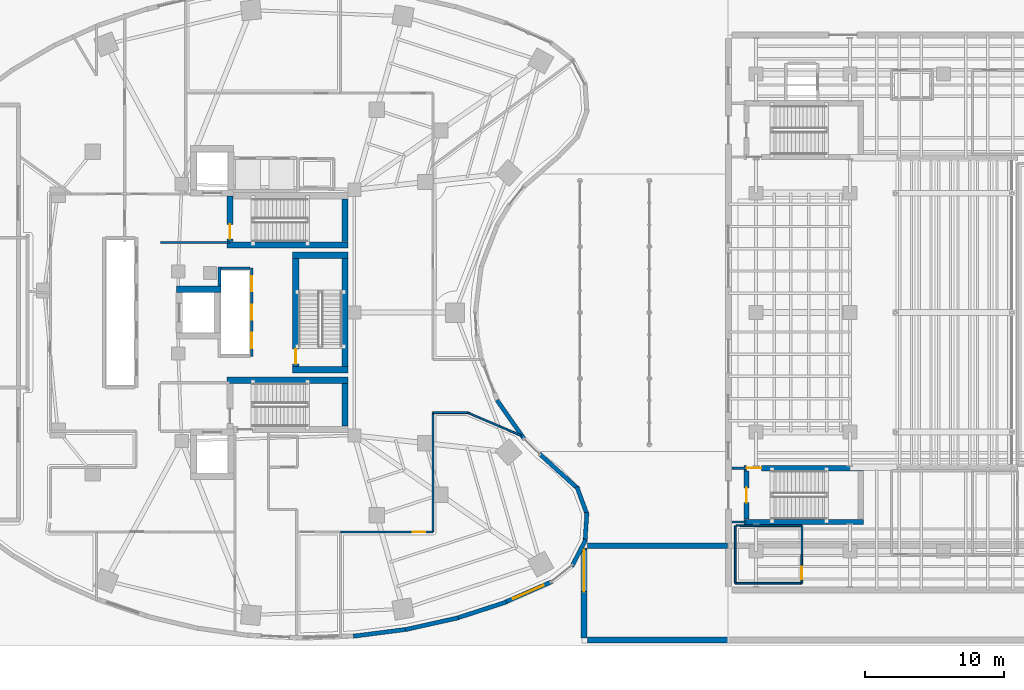
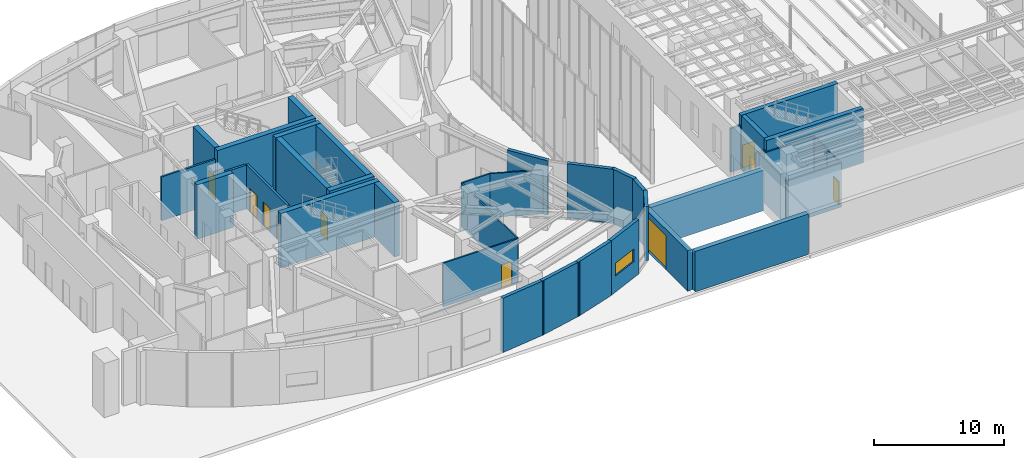
# One storey, part 19 of 28: 41 walls, 10 doors, 1 window, 11 openings.
"""IFC4 building model written with IfcOpenShell, lengths in metres."""

from ifc_helpers import new_model, si_unit, direction, frame, frame_2d, origin, place, context, subcontext, project, spatial, rectangle, extrude, material, layer, layer_set, type_object, element, fill, save


model = new_model("IFC4")

# Units and contexts
model_context = context("Model", 3, precision=1e-05, world=origin(), true_north=direction((0.0, 1.0)))
body_context = subcontext(model_context, "Body", "Model", "MODEL_VIEW")
ifc_project = project(units=[si_unit("LENGTHUNIT", "METRE"), si_unit("AREAUNIT", "SQUARE_METRE"), si_unit("VOLUMEUNIT", "CUBIC_METRE"), si_unit("PLANEANGLEUNIT", "RADIAN"), si_unit("MASSUNIT", "GRAM", prefix="KILO")], contexts=[model_context])

# Site, building, storey
site_placement = place(None, origin())
site = spatial("IfcSite", under=ifc_project, at=site_placement, CompositionType="ELEMENT")
building_placement = place(site_placement, origin())
building = spatial("IfcBuilding", under=site, at=building_placement, Name="Korentha Bioscience Tower", CompositionType="ELEMENT")
storey_placement = place(building_placement, origin())
storey = spatial("IfcBuildingStorey", under=building, at=storey_placement, Name="L00", CompositionType="ELEMENT", Elevation=0.0)

# Walls
ifc_material_1 = material(Name="Gypsum-Clad Steel Stud", Category="steel")
ifc_layer_1 = layer(ifc_material_1, 0.159912109375, Name="Gypsum-Clad Steel Stud")
ifc_layer_set_1 = layer_set([ifc_layer_1], Name="Gypsum-Clad Steel Stud (IW-C160)")
wall_type_1 = type_object("IfcWallType", Name="Fire-Rated Corridor Partition Wall 160", PredefinedType="PARTITIONING", material=ifc_layer_set_1)
wall_1_placement = place(storey_placement, frame((23.580078125, 32.050048828125, 0.0), z_axis=(0.0, 0.0, 1.0), x_axis=(1.0, 0.0, 0.0)))
element("IfcWall", 1, at=wall_1_placement, inside=storey, type_object=wall_type_1, Name="L00 Firefighting Lobby Return Wall FFLN-S", PredefinedType="PARTITIONING", context=body_context, shape_type="SweptSolid", body=[
    extrude(rectangle(XDim=4.969970703125, YDim=0.159912109375, at=frame_2d((2.48486328125, 0.0))), origin(), (0.0, 0.0, 1.0), 4.110107421875),
])
for number, where, z_axis, x_axis, name in (
    (2, (64.75, 15.7900390625, 0.0), (0.0, 0.0, 1.0), (1.0, 0.0, 0.0), "L00 Protected Exit Passageway Rated Wall EXVT1-N"),
    (3, (64.75, 11.909912109375, 0.0), (0.0, 0.0, 1.0), (1.0, 0.0, 0.0), "L00 Protected Exit Passageway Rated Wall EXVT1-S"),
):
    element("IfcWall", number, at=place(storey_placement, frame(where, z_axis=z_axis, x_axis=x_axis)), inside=storey, type_object=wall_type_1, Name=name, PredefinedType="PARTITIONING", context=body_context, shape_type="SweptSolid", body=[
        extrude(rectangle(XDim=1.030029296875, YDim=0.159912109375, at=frame_2d((0.51513671875, 0.0))), origin(), (0.0, 0.0, 1.0), 4.110107421875),
    ])

# Wall, opening, window
ifc_material_2 = material(Name="Honed Limestone Precast Concrete C40", Category="masonry")
ifc_layer_2 = layer(ifc_material_2, 0.300048828125, Name="Honed Limestone Precast Concrete C40")
ifc_layer_set_2 = layer_set([ifc_layer_2], Name="Honed Limestone Precast Concrete C40 (EW-ST300)")
wall_type_2 = type_object("IfcWallType", Name="Honed Limestone Cavity Spandrel Wall 300", PredefinedType="STANDARD", material=ifc_layer_set_2)
wall_2_placement = place(storey_placement, frame((48.37255859375, 6.115478515625, 0.0), z_axis=(0.0, 0.0, 1.0), x_axis=(0.91593836551, 0.401318963652, 0.0)))
wall_2 = element("IfcWall", 4, at=wall_2_placement, inside=storey, type_object=wall_type_2, Name="L00 Honed Limestone Spandrel Wall 36", PredefinedType="STANDARD", context=body_context, shape_type="SweptSolid", body=[
    extrude(rectangle(XDim=3.712646484375, YDim=0.300048828125, at=frame_2d((1.8564453125, 0.0))), origin(), (0.0, 0.0, 1.0), 5.10009765625),
])
opening_1_placement = place(wall_2_placement, frame((0.65625, 0.0, 1.5)))
opening_1 = element("IfcOpeningElement", 5, at=opening_1_placement, cuts=wall_2, Name="Opening WN-04", PredefinedType="OPENING", context=body_context, shape_type="SweptSolid", body=[
    extrude(rectangle(XDim=2.39990234375, YDim=1.199951171875, at=frame_2d((1.199951171875, 0.60009765625))), frame((0.0, 0.1650390625, 0.0), z_axis=(0.0, -1.0, 0.0), x_axis=(1.0, 0.0, 0.0)), (0.0, 0.0, 1.0), 0.329833984375),
])
ifc_material_3 = material(Name="Thermally Broken Aluminium Triple Glazing", Category="aluminium")
window_type = type_object("IfcWindowType", Name="Podium Clerestory Ribbon Window 2400x1200", PartitioningType="DOUBLE_PANEL_HORIZONTAL", PredefinedType="WINDOW", material=ifc_material_3)
window_placement = place(opening_1_placement, origin())
window = element("IfcWindow", 6, at=window_placement, inside=storey, type_object=window_type, Name="L00 Facade Window 36", OverallHeight=1.199951171875, OverallWidth=2.39990234375, PartitioningType="DOUBLE_PANEL_HORIZONTAL", PredefinedType="WINDOW", context=body_context, shape_type="SweptSolid", body=[
    extrude(rectangle(XDim=2.39990234375, YDim=1.199951171875, at=frame_2d((1.199951171875, 0.60009765625))), frame((0.0, 0.030029296875, 0.0), z_axis=(0.0, -1.0, 0.0), x_axis=(1.0, 0.0, 0.0)), (0.0, 0.0, 1.0), 0.06005859375),
])
fill(opening_1, window)

# Walls
wall_3_placement = place(storey_placement, frame((37.471923828125, 3.677734375, 0.0), z_axis=(0.0, 0.0, 1.0), x_axis=(0.991734095036, 0.128310111617, 0.0)))
element("IfcWall", 7, at=wall_3_placement, inside=storey, type_object=wall_type_2, Name="L00 Limestone Perimeter Closure Wall 33", PredefinedType="STANDARD", context=body_context, shape_type="SweptSolid", body=[
    extrude(rectangle(XDim=3.955810546875, YDim=0.300048828125, at=frame_2d((1.97802734375, 0.0))), origin(), (0.0, 0.0, 1.0), 5.10009765625),
])
wall_4_placement = place(storey_placement, frame((41.22509765625, 4.1552734375, 0.0), z_axis=(0.0, 0.0, 1.0), x_axis=(0.975868573345, 0.218358713032, 0.0)))
element("IfcWall", 8, at=wall_4_placement, inside=storey, type_object=wall_type_2, Name="L00 Limestone Perimeter Closure Wall 34", PredefinedType="STANDARD", context=body_context, shape_type="SweptSolid", body=[
    extrude(rectangle(XDim=3.90869140625, YDim=0.300048828125, at=frame_2d((1.954345703125, 0.0))), origin(), (0.0, 0.0, 1.0), 5.10009765625),
])
wall_5_placement = place(storey_placement, frame((44.872802734375, 4.963134765625, 0.0), z_axis=(0.0, 0.0, 1.0), x_axis=(0.950965833732, 0.309295947393, 0.0)))
element("IfcWall", 9, at=wall_5_placement, inside=storey, type_object=wall_type_2, Name="L00 Limestone Perimeter Closure Wall 35", PredefinedType="STANDARD", context=body_context, shape_type="SweptSolid", body=[
    extrude(rectangle(XDim=3.840087890625, YDim=0.300048828125, at=frame_2d((1.919921875, 0.0))), origin(), (0.0, 0.0, 1.0), 5.10009765625),
])
wall_6_placement = place(storey_placement, frame((53.20751953125, 8.691650390625, 0.0), z_axis=(0.0, 0.0, 1.0), x_axis=(0.463035066673, 0.886339961319, 0.0)))
element("IfcWall", 10, at=wall_6_placement, inside=storey, type_object=wall_type_2, Name="L00 Limestone Perimeter Closure Wall 38", PredefinedType="STANDARD", context=body_context, shape_type="SweptSolid", body=[
    extrude(rectangle(XDim=2.1875, YDim=0.300048828125, at=frame_2d((1.09375, 0.0))), origin(), (0.0, 0.0, 1.0), 5.10009765625),
])
for number, where, z_axis, x_axis, name in (
    (11, (54.16259765625, 10.42431640625, 0.0), (0.0, 0.0, 1.0), (0.064615302336, 0.99791024782, 0.0), "L00 Limestone Perimeter Closure Wall 39"),
    (12, (54.334716796875, 12.39501953125, 0.0), (0.0, 0.0, 1.0), (-0.344939866054, 0.938624785954, 0.0), "L00 Limestone Perimeter Closure Wall 40"),
):
    element("IfcWall", number, at=place(storey_placement, frame(where, z_axis=z_axis, x_axis=x_axis)), inside=storey, type_object=wall_type_2, Name=name, PredefinedType="STANDARD", context=body_context, shape_type="SweptSolid", body=[
        extrude(rectangle(XDim=2.187744140625, YDim=0.300048828125, at=frame_2d((1.09375, 0.0))), origin(), (0.0, 0.0, 1.0), 5.10009765625),
    ])
wall_7_placement = place(storey_placement, frame((53.704345703125, 14.26416015625, 0.0), z_axis=(0.0, 0.0, 1.0), x_axis=(-0.74117794387, 0.671308614216, 0.0)))
element("IfcWall", 13, at=wall_7_placement, inside=storey, type_object=wall_type_2, Name="L00 Limestone Perimeter Closure Wall 41", PredefinedType="STANDARD", context=body_context, shape_type="SweptSolid", body=[
    extrude(rectangle(XDim=3.815673828125, YDim=0.300048828125, at=frame_2d((1.90771484375, 0.0))), origin(), (0.0, 0.0, 1.0), 5.10009765625),
])
wall_8_placement = place(storey_placement, frame((49.79248046875, 17.8779296875, 0.0), z_axis=(0.0, 0.0, 1.0), x_axis=(-0.573576992806, 0.819151654655, 0.0)))
element("IfcWall", 14, at=wall_8_placement, inside=storey, type_object=wall_type_2, Name="L00 Limestone Perimeter Closure Wall 44", PredefinedType="STANDARD", context=body_context, shape_type="SweptSolid", body=[
    extrude(rectangle(XDim=3.429931640625, YDim=0.300048828125, at=frame_2d((1.71484375, 0.0))), origin(), (0.0, 0.0, 1.0), 5.10009765625),
])
ifc_material_4 = material(Name="Autoclaved Aerated Concrete Block C25", Category="concrete")
ifc_layer_3 = layer(ifc_material_4, 0.199951171875, Name="Autoclaved Aerated Concrete Block C25")
ifc_layer_set_3 = layer_set([ifc_layer_3], Name="Autoclaved Aerated Concrete Block C25 (IW-S200)")
wall_type_3 = type_object("IfcWallType", Name="Lift and Riser Shaft Enclosure Wall 200", PredefinedType="PARTITIONING", material=ifc_layer_set_3)
wall_9_placement = place(storey_placement, frame((27.830078125, 28.908935546875, 0.0), z_axis=(0.0, 0.0, 1.0), x_axis=(0.0, 1.0, 0.0)))
element("IfcWall", 15, at=wall_9_placement, inside=storey, type_object=wall_type_3, Name="L00 Lift Bank HIGH Shaft Wall -XN", PredefinedType="PARTITIONING", context=body_context, shape_type="SweptSolid", body=[
    extrude(rectangle(XDim=1.39111328125, YDim=0.199951171875, at=frame_2d((0.695556640625, 0.0))), origin(), (0.0, 0.0, 1.0), 4.110107421875),
])

# Wall, openings, doors
wall_10_placement = place(storey_placement, frame((30.14990234375, 23.85009765625, 0.0), z_axis=(0.0, 0.0, 1.0), x_axis=(0.0, 1.0, 0.0)))
wall_10 = element("IfcWall", 16, at=wall_10_placement, inside=storey, type_object=wall_type_3, Name="L00 Lift Bank HIGH Shaft Wall +X", PredefinedType="PARTITIONING", context=body_context, shape_type="SweptSolid", body=[
    extrude(rectangle(XDim=6.349853515625, YDim=0.199951171875, at=frame_2d((3.1748046875, 0.0))), origin(), (0.0, 0.0, 1.0), 4.110107421875),
])
opening_2_placement = place(wall_10_placement, frame((0.580078125, 0.0, 0.0)))
opening_2 = element("IfcOpeningElement", 17, at=opening_2_placement, cuts=wall_10, Name="Opening LD-11", PredefinedType="OPENING", context=body_context, shape_type="SweptSolid", body=[
    extrude(rectangle(XDim=1.10009765625, YDim=2.199951171875, at=frame_2d((0.550048828125, 1.10009765625))), frame((0.0, 0.11474609375, 0.0), z_axis=(0.0, -1.0, 0.0), x_axis=(1.0, 0.0, 0.0)), (0.0, 0.0, 1.0), 0.229736328125),
])
opening_3_placement = place(wall_10_placement, frame((2.6201171875, 0.0, 0.0)))
opening_3 = element("IfcOpeningElement", 18, at=opening_3_placement, cuts=wall_10, Name="Opening LD-11", PredefinedType="OPENING", context=body_context, shape_type="SweptSolid", body=[
    extrude(rectangle(XDim=1.10009765625, YDim=2.199951171875, at=frame_2d((0.550048828125, 1.10009765625))), frame((0.0, 0.11474609375, 0.0), z_axis=(0.0, -1.0, 0.0), x_axis=(1.0, 0.0, 0.0)), (0.0, 0.0, 1.0), 0.229736328125),
])
opening_4_placement = place(wall_10_placement, frame((4.669921875, 0.0, 0.0)))
opening_4 = element("IfcOpeningElement", 19, at=opening_4_placement, cuts=wall_10, Name="Opening LD-11", PredefinedType="OPENING", context=body_context, shape_type="SweptSolid", body=[
    extrude(rectangle(XDim=1.10009765625, YDim=2.199951171875, at=frame_2d((0.550048828125, 1.10009765625))), frame((0.0, 0.11474609375, 0.0), z_axis=(0.0, -1.0, 0.0), x_axis=(1.0, 0.0, 0.0)), (0.0, 0.0, 1.0), 0.229736328125),
])
ifc_material_5 = material(Name="Brushed Stainless Steel 304", Category="steel")
door_type_1 = type_object("IfcDoorType", Name="Passenger Lift Sliding Landing Door 1100x2200", OperationType="DOUBLE_DOOR_SLIDING", PredefinedType="DOOR", material=ifc_material_5)
door_1_placement = place(opening_2_placement, origin())
door_1 = element("IfcDoor", 20, at=door_1_placement, inside=storey, type_object=door_type_1, Name="L00 PL-H1 Sliding Lift Landing Door", OperationType="DOUBLE_DOOR_SLIDING", OverallHeight=2.199951171875, OverallWidth=1.10009765625, PredefinedType="DOOR", context=body_context, shape_type="SweptSolid", body=[
    extrude(rectangle(XDim=1.10009765625, YDim=2.199951171875, at=frame_2d((0.550048828125, 1.10009765625))), frame((0.0, 0.02490234375, 0.0), z_axis=(0.0, -1.0, 0.0), x_axis=(1.0, 0.0, 0.0)), (0.0, 0.0, 1.0), 0.050048828125),
])
fill(opening_2, door_1)
door_2_placement = place(opening_3_placement, origin())
door_2 = element("IfcDoor", 21, at=door_2_placement, inside=storey, type_object=door_type_1, Name="L00 PL-H2 Sliding Lift Landing Door", OperationType="DOUBLE_DOOR_SLIDING", OverallHeight=2.199951171875, OverallWidth=1.10009765625, PredefinedType="DOOR", context=body_context, shape_type="SweptSolid", body=[
    extrude(rectangle(XDim=1.10009765625, YDim=2.199951171875, at=frame_2d((0.550048828125, 1.10009765625))), frame((0.0, 0.02490234375, 0.0), z_axis=(0.0, -1.0, 0.0), x_axis=(1.0, 0.0, 0.0)), (0.0, 0.0, 1.0), 0.050048828125),
])
fill(opening_3, door_2)
door_3_placement = place(opening_4_placement, origin())
door_3 = element("IfcDoor", 22, at=door_3_placement, inside=storey, type_object=door_type_1, Name="L00 PL-H3 Sliding Lift Landing Door", OperationType="DOUBLE_DOOR_SLIDING", OverallHeight=2.199951171875, OverallWidth=1.10009765625, PredefinedType="DOOR", context=body_context, shape_type="SweptSolid", body=[
    extrude(rectangle(XDim=1.10009765625, YDim=2.199951171875, at=frame_2d((0.550048828125, 1.10009765625))), frame((0.0, 0.02490234375, 0.0), z_axis=(0.0, -1.0, 0.0), x_axis=(1.0, 0.0, 0.0)), (0.0, 0.0, 1.0), 0.050048828125),
])
fill(opening_4, door_3)

# Walls
wall_11_placement = place(storey_placement, frame((27.93408203125, 30.199951171875, 0.0), z_axis=(0.0, 0.0, 1.0), x_axis=(1.0, 0.0, 0.0)))
element("IfcWall", 23, at=wall_11_placement, inside=storey, type_object=wall_type_3, Name="L00 Lift Bank HIGH Shaft Wall +Y", PredefinedType="PARTITIONING", context=body_context, shape_type="SweptSolid", body=[
    extrude(rectangle(XDim=2.095947265625, YDim=0.199951171875, at=frame_2d((1.0478515625, 0.0))), origin(), (0.0, 0.0, 1.0), 4.110107421875),
])
ifc_material_6 = material(Name="Concrete C80", Category="concrete")
ifc_layer_4 = layer(ifc_material_6, 0.449951171875, Name="Concrete C80")
ifc_layer_set_4 = layer_set([ifc_layer_4], Name="Concrete C80 (CW-C80)")
wall_type_4 = type_object("IfcWallType", Name="Lower Core Shear Wall 450", PredefinedType="SHEAR", material=ifc_layer_set_4)
wall_12_placement = place(storey_placement, frame((28.35009765625, 31.875, 0.0), z_axis=(0.0, 0.0, 1.0), x_axis=(1.0, 0.0, 0.0)))
element("IfcWall", 24, at=wall_12_placement, inside=storey, type_object=wall_type_4, Name="L00 Core Shear Wall ST1-S", PredefinedType="SHEAR", context=body_context, shape_type="SweptSolid", body=[
    extrude(rectangle(XDim=8.75, YDim=0.449951171875, at=frame_2d((4.375, 0.0))), origin(), (0.0, 0.0, 1.0), 5.10009765625),
])
wall_13_placement = place(storey_placement, frame((36.875, 32.110107421875, 0.0), z_axis=(0.0, 0.0, 1.0), x_axis=(0.0, 1.0, 0.0)))
element("IfcWall", 25, at=wall_13_placement, inside=storey, type_object=wall_type_4, Name="L00 Core Shear Wall ST1-E", PredefinedType="SHEAR", context=body_context, shape_type="SweptSolid", body=[
    extrude(rectangle(XDim=3.079833984375, YDim=0.449951171875, at=frame_2d((1.5400390625, 0.0))), origin(), (0.0, 0.0, 1.0), 5.10009765625),
])

# Wall, opening, door
wall_14_placement = place(storey_placement, frame((28.574951171875, 32.110107421875, 0.0), z_axis=(0.0, 0.0, 1.0), x_axis=(0.0, 1.0, 0.0)))
wall_14 = element("IfcWall", 26, at=wall_14_placement, inside=storey, type_object=wall_type_4, Name="L00 Core Shear Wall ST1-W", PredefinedType="SHEAR", context=body_context, shape_type="SweptSolid", body=[
    extrude(rectangle(XDim=3.282958984375, YDim=0.449951171875, at=frame_2d((1.6416015625, 0.0))), origin(), (0.0, 0.0, 1.0), 5.10009765625),
])
opening_5_placement = place(wall_14_placement, frame((0.199951171875, 0.0, 0.0)))
opening_5 = element("IfcOpeningElement", 27, at=opening_5_placement, cuts=wall_14, Name="Opening FD-90L", PredefinedType="OPENING", context=body_context, shape_type="SweptSolid", body=[
    extrude(rectangle(XDim=1.050048828125, YDim=2.14990234375, at=frame_2d((0.52490234375, 1.074951171875))), frame((0.0, 0.23974609375, 0.0), z_axis=(0.0, -1.0, 0.0), x_axis=(1.0, 0.0, 0.0)), (0.0, 0.0, 1.0), 0.479736328125),
])
ifc_material_7 = material(Name="Powder-Coated Fire-Rated Steel", Category="steel")
door_type_2 = type_object("IfcDoorType", Name="Stairwell Fire Exit Door 1050x2150 Left", OperationType="SINGLE_SWING_LEFT", PredefinedType="DOOR", material=ifc_material_7)
door_4_placement = place(opening_5_placement, origin())
door_4 = element("IfcDoor", 28, at=door_4_placement, inside=storey, type_object=door_type_2, Name="L00 ST-1 Fire Exit Stair Door", OperationType="SINGLE_SWING_LEFT", OverallHeight=2.14990234375, OverallWidth=1.050048828125, PredefinedType="DOOR", context=body_context, shape_type="SweptSolid", body=[
    extrude(rectangle(XDim=1.050048828125, YDim=2.14990234375, at=frame_2d((0.52490234375, 1.074951171875))), frame((0.0, 0.02490234375, 0.0), z_axis=(0.0, -1.0, 0.0), x_axis=(1.0, 0.0, 0.0)), (0.0, 0.0, 1.0), 0.050048828125),
])
fill(opening_5, door_4)

# Walls
wall_15_placement = place(storey_placement, frame((28.35009765625, 22.125, 0.0), z_axis=(0.0, 0.0, 1.0), x_axis=(1.0, 0.0, 0.0)))
element("IfcWall", 29, at=wall_15_placement, inside=storey, type_object=wall_type_4, Name="L00 Core Shear Wall ST2-N", PredefinedType="SHEAR", context=body_context, shape_type="SweptSolid", body=[
    extrude(rectangle(XDim=8.75, YDim=0.449951171875, at=frame_2d((4.375, 0.0))), origin(), (0.0, 0.0, 1.0), 5.10009765625),
])
wall_16_placement = place(storey_placement, frame((36.875, 18.81005859375, 0.0), z_axis=(0.0, 0.0, 1.0), x_axis=(0.0, 1.0, 0.0)))
element("IfcWall", 30, at=wall_16_placement, inside=storey, type_object=wall_type_4, Name="L00 Core Shear Wall ST2-E", PredefinedType="SHEAR", context=body_context, shape_type="SweptSolid", body=[
    extrude(rectangle(XDim=3.079833984375, YDim=0.449951171875, at=frame_2d((1.5400390625, 0.0))), origin(), (0.0, 0.0, 1.0), 5.10009765625),
])
for number, where, z_axis, x_axis, name in (
    (31, (33.10009765625, 31.125, 0.0), (0.0, 0.0, 1.0), (1.0, 0.0, 0.0), "L00 Core Shear Wall ST3-N"),
    (32, (33.10009765625, 22.875, 0.0), (0.0, 0.0, 1.0), (1.0, 0.0, 0.0), "L00 Core Shear Wall ST3-S"),
):
    element("IfcWall", number, at=place(storey_placement, frame(where, z_axis=z_axis, x_axis=x_axis)), inside=storey, type_object=wall_type_4, Name=name, PredefinedType="SHEAR", context=body_context, shape_type="SweptSolid", body=[
        extrude(rectangle(XDim=4.0, YDim=0.449951171875, at=frame_2d((2.0, 0.0))), origin(), (0.0, 0.0, 1.0), 5.10009765625),
    ])
wall_17_placement = place(storey_placement, frame((36.875, 23.110107421875, 0.0), z_axis=(0.0, 0.0, 1.0), x_axis=(0.0, 1.0, 0.0)))
element("IfcWall", 33, at=wall_17_placement, inside=storey, type_object=wall_type_4, Name="L00 Core Shear Wall ST3-E", PredefinedType="SHEAR", context=body_context, shape_type="SweptSolid", body=[
    extrude(rectangle(XDim=7.77978515625, YDim=0.449951171875, at=frame_2d((3.889892578125, 0.0))), origin(), (0.0, 0.0, 1.0), 5.10009765625),
])

# Wall, opening, door
wall_18_placement = place(storey_placement, frame((33.324951171875, 23.110107421875, 0.0), z_axis=(0.0, 0.0, 1.0), x_axis=(0.0, 1.0, 0.0)))
wall_18 = element("IfcWall", 34, at=wall_18_placement, inside=storey, type_object=wall_type_4, Name="L00 Core Shear Wall ST3-W", PredefinedType="SHEAR", context=body_context, shape_type="SweptSolid", body=[
    extrude(rectangle(XDim=7.77978515625, YDim=0.449951171875, at=frame_2d((3.889892578125, 0.0))), origin(), (0.0, 0.0, 1.0), 5.10009765625),
])
opening_6_placement = place(wall_18_placement, frame((0.199951171875, 0.0, 0.0)))
opening_6 = element("IfcOpeningElement", 35, at=opening_6_placement, cuts=wall_18, Name="Opening FD-90L", PredefinedType="OPENING", context=body_context, shape_type="SweptSolid", body=[
    extrude(rectangle(XDim=1.050048828125, YDim=2.14990234375, at=frame_2d((0.52490234375, 1.074951171875))), frame((0.0, 0.23974609375, 0.0), z_axis=(0.0, -1.0, 0.0), x_axis=(1.0, 0.0, 0.0)), (0.0, 0.0, 1.0), 0.479736328125),
])
door_5_placement = place(opening_6_placement, origin())
door_5 = element("IfcDoor", 36, at=door_5_placement, inside=storey, type_object=door_type_2, Name="L00 ST-3 Fire Exit Stair Door", OperationType="SINGLE_SWING_LEFT", OverallHeight=2.14990234375, OverallWidth=1.050048828125, PredefinedType="DOOR", context=body_context, shape_type="SweptSolid", body=[
    extrude(rectangle(XDim=1.050048828125, YDim=2.14990234375, at=frame_2d((0.52490234375, 1.074951171875))), frame((0.0, 0.02490234375, 0.0), z_axis=(0.0, -1.0, 0.0), x_axis=(1.0, 0.0, 0.0)), (0.0, 0.0, 1.0), 0.050048828125),
])
fill(opening_6, door_5)

# Walls
wall_19_placement = place(storey_placement, frame((24.719970703125, 28.679931640625, 0.0), z_axis=(0.0, 0.0, 1.0), x_axis=(1.0, 0.0, 0.0)))
element("IfcWall", 37, at=wall_19_placement, inside=storey, type_object=wall_type_4, Name="L00 Core Shear Wall SVL1-N", PredefinedType="SHEAR", context=body_context, shape_type="SweptSolid", body=[
    extrude(rectangle(XDim=3.2099609375, YDim=0.449951171875, at=frame_2d((1.60498046875, 0.0))), origin(), (0.0, 0.0, 1.0), 5.10009765625),
])
ifc_material_8 = material(Name="Concrete C50", Category="concrete")
ifc_layer_5 = layer(ifc_material_8, 0.419921875, Name="Concrete C50")
ifc_layer_set_5 = layer_set([ifc_layer_5], Name="Concrete C50 (TW-E420)")
wall_type_5 = type_object("IfcWallType", Name="Theatre Acoustic Shear Wall 420", PredefinedType="SHEAR", material=ifc_layer_set_5)
for number, where, z_axis, x_axis, name in (
    (38, (54.35009765625, 10.199951171875, 0.0), (0.0, 0.0, 1.0), (1.0, 0.0, 0.0), "L00 Vehicle Ramp Enclosure Wall NW"),
    (39, (54.35009765625, 3.39990234375, 0.0), (0.0, 0.0, 1.0), (1.0, 0.0, 0.0), "L00 Vehicle Ramp Enclosure Wall SW"),
):
    element("IfcWall", number, at=place(storey_placement, frame(where, z_axis=z_axis, x_axis=x_axis)), inside=storey, type_object=wall_type_5, Name=name, PredefinedType="SHEAR", context=body_context, shape_type="SweptSolid", body=[
        extrude(rectangle(XDim=10.06982421875, YDim=0.419921875, at=frame_2d((5.034912109375, 0.0))), origin(), (0.0, 0.0, 1.0), 3.800048828125),
    ])

# Wall, opening, door
wall_20_placement = place(storey_placement, frame((54.10009765625, 3.550048828125, 0.0), z_axis=(0.0, 0.0, 1.0), x_axis=(0.0, 1.0, 0.0)))
wall_20 = element("IfcWall", 40, at=wall_20_placement, inside=storey, type_object=wall_type_5, Name="L00 Vehicle Ramp Enclosure Wall W", PredefinedType="SHEAR", context=body_context, shape_type="SweptSolid", body=[
    extrude(rectangle(XDim=6.5, YDim=0.419921875, at=frame_2d((3.25, 0.0))), origin(), (0.0, 0.0, 1.0), 3.800048828125),
])
opening_7_placement = place(wall_20_placement, frame((3.35009765625, 0.0, 0.0)))
opening_7 = element("IfcOpeningElement", 41, at=opening_7_placement, cuts=wall_20, Name="Opening VG-01", PredefinedType="OPENING", context=body_context, shape_type="SweptSolid", body=[
    extrude(rectangle(XDim=3.0, YDim=3.199951171875, at=frame_2d((1.5, 1.60009765625))), frame((0.0, 0.224853515625, 0.0), z_axis=(0.0, -1.0, 0.0), x_axis=(1.0, 0.0, 0.0)), (0.0, 0.0, 1.0), 0.44970703125),
])
ifc_material_9 = material(Name="Perforated Aluminium Security Slats", Category="aluminium")
door_type_3 = type_object("IfcDoorType", Name="Vehicle Ramp Roller Shutter Gate 3000x3200", OperationType="ROLLINGUP", PredefinedType="DOOR", material=ifc_material_9)
door_6_placement = place(opening_7_placement, origin())
door_6 = element("IfcDoor", 42, at=door_6_placement, inside=storey, type_object=door_type_3, Name="Car Park Vehicle Ramp Portal Shutter Gate", OperationType="ROLLINGUP", OverallHeight=3.199951171875, OverallWidth=3.0, PredefinedType="DOOR", context=body_context, shape_type="SweptSolid", body=[
    extrude(rectangle(XDim=3.0, YDim=3.199951171875, at=frame_2d((1.5, 1.60009765625))), frame((0.0, 0.02490234375, 0.0), z_axis=(0.0, -1.0, 0.0), x_axis=(1.0, 0.0, 0.0)), (0.0, 0.0, 1.0), 0.050048828125),
])
fill(opening_7, door_6)

# Wall
ifc_layer_6 = layer(ifc_material_8, 0.3798828125, Name="Concrete C50")
ifc_layer_set_6 = layer_set([ifc_layer_6], Name="Concrete C50 (TW-I380)")
wall_type_6 = type_object("IfcWallType", Name="Theatre Proscenium Shear Wall 380", PredefinedType="SHEAR", material=ifc_layer_set_6)
wall_21_placement = place(storey_placement, frame((65.6201171875, 11.909912109375, 0.0), z_axis=(0.0, 0.0, 1.0), x_axis=(1.0, 0.0, 0.0)))
element("IfcWall", 43, at=wall_21_placement, inside=storey, type_object=wall_type_6, Name="L00 Theatre Shear Wall STT1-S", PredefinedType="SHEAR", context=body_context, shape_type="SweptSolid", body=[
    extrude(rectangle(XDim=8.60986328125, YDim=0.3798828125, at=frame_2d((4.304931640625, 0.0))), origin(), (0.0, 0.0, 1.0), 5.10009765625),
])

# Wall, opening, door
wall_22_placement = place(storey_placement, frame((65.6201171875, 15.7900390625, 0.0), z_axis=(0.0, 0.0, 1.0), x_axis=(1.0, 0.0, 0.0)))
wall_22 = element("IfcWall", 44, at=wall_22_placement, inside=storey, type_object=wall_type_6, Name="L00 Theatre Shear Wall STT1-N", PredefinedType="SHEAR", context=body_context, shape_type="SweptSolid", body=[
    extrude(rectangle(XDim=8.60986328125, YDim=0.3798828125, at=frame_2d((4.304931640625, 0.0))), origin(), (0.0, 0.0, 1.0), 5.10009765625),
])
opening_8_placement = place(wall_22_placement, frame((0.199951171875, 0.0, 0.0)))
opening_8 = element("IfcOpeningElement", 45, at=opening_8_placement, cuts=wall_22, Name="Opening FD-90R", PredefinedType="OPENING", context=body_context, shape_type="SweptSolid", body=[
    extrude(rectangle(XDim=1.050048828125, YDim=2.14990234375, at=frame_2d((0.52490234375, 1.074951171875))), frame((0.0, 0.204833984375, 0.0), z_axis=(0.0, -1.0, 0.0), x_axis=(1.0, 0.0, 0.0)), (0.0, 0.0, 1.0), 0.40966796875),
])
door_type_4 = type_object("IfcDoorType", Name="Stairwell Fire Exit Door 1050x2150 Right", OperationType="SINGLE_SWING_RIGHT", PredefinedType="DOOR", material=ifc_material_7)
door_7_placement = place(opening_8_placement, origin())
door_7 = element("IfcDoor", 46, at=door_7_placement, inside=storey, type_object=door_type_4, Name="L00 ST-T1 Fire Exit Stair Door", OperationType="SINGLE_SWING_RIGHT", OverallHeight=2.14990234375, OverallWidth=1.050048828125, PredefinedType="DOOR", context=body_context, shape_type="SweptSolid", body=[
    extrude(rectangle(XDim=1.050048828125, YDim=2.14990234375, at=frame_2d((0.52490234375, 1.074951171875))), frame((0.0, 0.02490234375, 0.0), z_axis=(0.0, -1.0, 0.0), x_axis=(1.0, 0.0, 0.0)), (0.0, 0.0, 1.0), 0.050048828125),
])
fill(opening_8, door_7)

wall_23_placement = place(storey_placement, frame((65.81005859375, 12.110107421875, 0.0), z_axis=(0.0, 0.0, 1.0), x_axis=(0.0, 1.0, 0.0)))
wall_23 = element("IfcWall", 47, at=wall_23_placement, inside=storey, type_object=wall_type_6, Name="L00 Theatre Shear Wall STT1-W", PredefinedType="SHEAR", context=body_context, shape_type="SweptSolid", body=[
    extrude(rectangle(XDim=3.47998046875, YDim=0.3798828125, at=frame_2d((1.739990234375, 0.0))), origin(), (0.0, 0.0, 1.0), 5.10009765625),
])
opening_9_placement = place(wall_23_placement, frame((1.199951171875, 0.0, 0.0)))
opening_9 = element("IfcOpeningElement", 48, at=opening_9_placement, cuts=wall_23, Name="Opening FD-90L", PredefinedType="OPENING", context=body_context, shape_type="SweptSolid", body=[
    extrude(rectangle(XDim=1.050048828125, YDim=2.14990234375, at=frame_2d((0.52490234375, 1.074951171875))), frame((0.0, 0.204833984375, 0.0), z_axis=(0.0, -1.0, 0.0), x_axis=(1.0, 0.0, 0.0)), (0.0, 0.0, 1.0), 0.40966796875),
])
door_8_placement = place(opening_9_placement, origin())
door_8 = element("IfcDoor", 49, at=door_8_placement, inside=storey, type_object=door_type_2, Name="L00 ST-T1 Protected Exit Passageway Discharge Door", OperationType="SINGLE_SWING_LEFT", OverallHeight=2.14990234375, OverallWidth=1.050048828125, PredefinedType="DOOR", context=body_context, shape_type="SweptSolid", body=[
    extrude(rectangle(XDim=1.050048828125, YDim=2.14990234375, at=frame_2d((0.52490234375, 1.074951171875))), frame((0.0, 0.02490234375, 0.0), z_axis=(0.0, -1.0, 0.0), x_axis=(1.0, 0.0, 0.0)), (0.0, 0.0, 1.0), 0.050048828125),
])
fill(opening_9, door_8)

ifc_material_10 = material(Name="Cement-Board Steel Stud", Category="steel")
ifc_layer_7 = layer(ifc_material_10, 0.1298828125, Name="Cement-Board Steel Stud")
ifc_layer_set_7 = layer_set([ifc_layer_7], Name="Cement-Board Steel Stud (IW-W130)")
wall_type_7 = type_object("IfcWallType", Name="Wet-Area Moisture-Resistant Partition 130", PredefinedType="PARTITIONING", material=ifc_layer_set_7)
wall_24_placement = place(storey_placement, frame((36.55810546875, 11.18994140625, 0.0), z_axis=(0.0, 0.0, 1.0), x_axis=(1.0, 0.0, 0.0)))
wall_24 = element("IfcWall", 50, at=wall_24_placement, inside=storey, type_object=wall_type_7, Name="L00 Ground Accessible Public Restroom 04 Entrance Wall", PredefinedType="PARTITIONING", context=body_context, shape_type="SweptSolid", body=[
    extrude(rectangle(XDim=6.641845703125, YDim=0.1298828125, at=frame_2d((3.32080078125, 0.0))), origin(), (0.0, 0.0, 1.0), 4.110107421875),
])
opening_10_placement = place(wall_24_placement, frame((5.191650390625, 0.0, 0.0)))
opening_10 = element("IfcOpeningElement", 51, at=opening_10_placement, cuts=wall_24, Name="Opening ID-09R", PredefinedType="OPENING", context=body_context, shape_type="SweptSolid", body=[
    extrude(rectangle(XDim=0.89990234375, YDim=2.14990234375, at=frame_2d((0.449951171875, 1.074951171875))), frame((0.0, 0.079833984375, 0.0), z_axis=(0.0, -1.0, 0.0), x_axis=(1.0, 0.0, 0.0)), (0.0, 0.0, 1.0), 0.15966796875),
])
ifc_material_11 = material(Name="Moisture-Resistant HPL Leaf", Category="wood")
door_type_5 = type_object("IfcDoorType", Name="Restroom & Accessible WC Door 900x2150 Right", OperationType="SINGLE_SWING_RIGHT", PredefinedType="DOOR", material=ifc_material_11)
door_9_placement = place(opening_10_placement, origin())
door_9 = element("IfcDoor", 52, at=door_9_placement, inside=storey, type_object=door_type_5, Name="L00 Ground Accessible Public Restroom 04 Door", OperationType="SINGLE_SWING_RIGHT", OverallHeight=2.14990234375, OverallWidth=0.89990234375, PredefinedType="DOOR", context=body_context, shape_type="SweptSolid", body=[
    extrude(rectangle(XDim=0.89990234375, YDim=2.14990234375, at=frame_2d((0.449951171875, 1.074951171875))), frame((0.0, 0.02490234375, 0.0), z_axis=(0.0, -1.0, 0.0), x_axis=(1.0, 0.0, 0.0)), (0.0, 0.0, 1.0), 0.050048828125),
])
fill(opening_10, door_9)

wall_25_placement = place(storey_placement, frame((69.7900390625, 9.550048828125, 0.0), z_axis=(0.0, 0.0, 1.0), x_axis=(0.0, -1.0, 0.0)))
wall_25 = element("IfcWall", 53, at=wall_25_placement, inside=storey, type_object=wall_type_7, Name="L00 L00 Theatre Public Restrooms Entrance Wall", PredefinedType="PARTITIONING", context=body_context, shape_type="SweptSolid", body=[
    extrude(rectangle(XDim=2.050048828125, YDim=0.1298828125, at=frame_2d((1.02490234375, 0.0))), origin(), (0.0, 0.0, 1.0), 4.110107421875),
])
opening_11_placement = place(wall_25_placement, frame((0.8798828125, 0.0, 0.0)))
opening_11 = element("IfcOpeningElement", 54, at=opening_11_placement, cuts=wall_25, Name="Opening ID-09R", PredefinedType="OPENING", context=body_context, shape_type="SweptSolid", body=[
    extrude(rectangle(XDim=0.89990234375, YDim=2.14990234375, at=frame_2d((0.449951171875, 1.074951171875))), frame((0.0, 0.079833984375, 0.0), z_axis=(0.0, -1.0, 0.0), x_axis=(1.0, 0.0, 0.0)), (0.0, 0.0, 1.0), 0.15966796875),
])
door_10_placement = place(opening_11_placement, origin())
door_10 = element("IfcDoor", 55, at=door_10_placement, inside=storey, type_object=door_type_5, Name="L00 L00 Theatre Public Restrooms Door", OperationType="SINGLE_SWING_RIGHT", OverallHeight=2.14990234375, OverallWidth=0.89990234375, PredefinedType="DOOR", context=body_context, shape_type="SweptSolid", body=[
    extrude(rectangle(XDim=0.89990234375, YDim=2.14990234375, at=frame_2d((0.449951171875, 1.074951171875))), frame((0.0, 0.02490234375, 0.0), z_axis=(0.0, -1.0, 0.0), x_axis=(1.0, 0.0, 0.0)), (0.0, 0.0, 1.0), 0.050048828125),
])
fill(opening_11, door_10)

# Walls
wall_26_placement = place(storey_placement, frame((43.2099609375, 11.199951171875, 0.0), z_axis=(0.0, 0.0, 1.0), x_axis=(0.0, 1.0, 0.0)))
element("IfcWall", 56, at=wall_26_placement, inside=storey, type_object=wall_type_7, Name="L00 Interior Partition 038", PredefinedType="PARTITIONING", context=body_context, shape_type="SweptSolid", body=[
    extrude(rectangle(XDim=8.590087890625, YDim=0.1298828125, at=frame_2d((4.294921875, 0.0))), origin(), (0.0, 0.0, 1.0), 4.110107421875),
])
wall_27_placement = place(storey_placement, frame((43.2099609375, 19.7900390625, 0.0), z_axis=(0.0, 0.0, 1.0), x_axis=(1.0, 0.0, 0.0)))
element("IfcWall", 57, at=wall_27_placement, inside=storey, type_object=wall_type_7, Name="L00 Interior Partition 039", PredefinedType="PARTITIONING", context=body_context, shape_type="SweptSolid", body=[
    extrude(rectangle(XDim=2.5, YDim=0.1298828125, at=frame_2d((1.25, 0.0))), origin(), (0.0, 0.0, 1.0), 4.110107421875),
])
wall_28_placement = place(storey_placement, frame((45.7099609375, 19.7900390625, 0.0), z_axis=(0.0, 0.0, 1.0), x_axis=(0.918452858102, -0.395530463358, 0.0)))
element("IfcWall", 58, at=wall_28_placement, inside=storey, type_object=wall_type_7, Name="L00 Interior Partition 040", PredefinedType="PARTITIONING", context=body_context, shape_type="SweptSolid", body=[
    extrude(rectangle(XDim=4.20458984375, YDim=0.1298828125, at=frame_2d((2.102294921875, 0.0))), origin(), (0.0, 0.0, 1.0), 4.110107421875),
])
wall_29_placement = place(storey_placement, frame((65.0, 7.5, 0.0), z_axis=(0.0, 0.0, 1.0), x_axis=(0.0, 1.0, 0.0)))
element("IfcWall", 59, at=wall_29_placement, inside=storey, type_object=wall_type_7, Name="L00 Interior Partition 052", PredefinedType="PARTITIONING", context=body_context, shape_type="SweptSolid", body=[
    extrude(rectangle(XDim=4.14990234375, YDim=0.1298828125, at=frame_2d((2.074951171875, 0.0))), origin(), (0.0, 0.0, 1.0), 4.110107421875),
])
wall_30_placement = place(storey_placement, frame((65.068115234375, 11.64990234375, 0.0), z_axis=(0.0, 0.0, 1.0), x_axis=(1.0, 0.0, 0.0)))
element("IfcWall", 60, at=wall_30_placement, inside=storey, type_object=wall_type_7, Name="L00 Interior Partition 053", PredefinedType="PARTITIONING", context=body_context, shape_type="SweptSolid", body=[
    extrude(rectangle(XDim=0.27197265625, YDim=0.1298828125, at=frame_2d((0.135986328125, 0.0))), origin(), (0.0, 0.0, 1.0), 4.110107421875),
])
wall_31_placement = place(storey_placement, frame((65.35009765625, 11.639892578125, 0.0), z_axis=(0.0, 0.0, 1.0), x_axis=(1.0, 0.0, 0.0)))
element("IfcWall", 61, at=wall_31_placement, inside=storey, type_object=wall_type_7, Name="L00 Interior Partition 054", PredefinedType="PARTITIONING", context=body_context, shape_type="SweptSolid", body=[
    extrude(rectangle(XDim=4.449951171875, YDim=0.1298828125, at=frame_2d((2.22509765625, 0.0))), origin(), (0.0, 0.0, 1.0), 4.110107421875),
])
wall_32_placement = place(storey_placement, frame((69.800048828125, 11.639892578125, 0.0), z_axis=(0.0, 0.0, 1.0), x_axis=(0.0, -1.0, 0.0)))
element("IfcWall", 62, at=wall_32_placement, inside=storey, type_object=wall_type_7, Name="L00 Interior Partition 055", PredefinedType="PARTITIONING", context=body_context, shape_type="SweptSolid", body=[
    extrude(rectangle(XDim=2.079833984375, YDim=0.1298828125, at=frame_2d((1.0400390625, 0.0))), origin(), (0.0, 0.0, 1.0), 4.110107421875),
])
wall_33_placement = place(storey_placement, frame((69.7900390625, 7.5, 0.0), z_axis=(0.0, 0.0, 1.0), x_axis=(-1.0, 0.0, 0.0)))
element("IfcWall", 63, at=wall_33_placement, inside=storey, type_object=wall_type_7, Name="L00 Interior Partition 056", PredefinedType="PARTITIONING", context=body_context, shape_type="SweptSolid", body=[
    extrude(rectangle(XDim=4.7900390625, YDim=0.1298828125, at=frame_2d((2.39501953125, 0.0))), origin(), (0.0, 0.0, 1.0), 4.110107421875),
])

save(model, "model.ifc")
